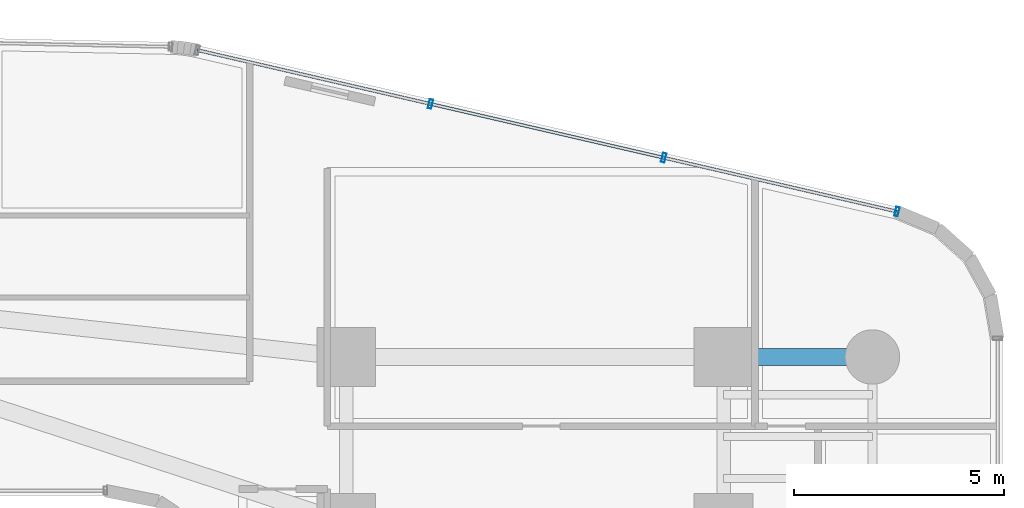
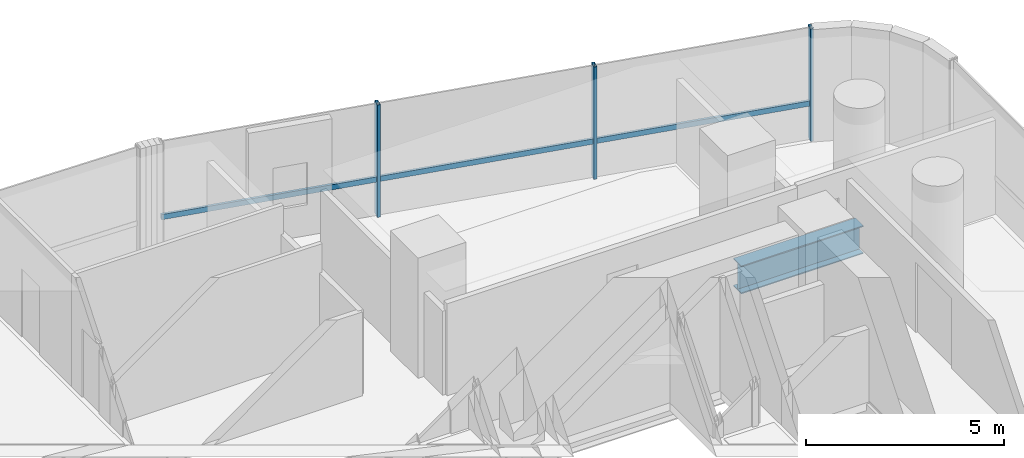
# One storey, part 25 of 42: 4 members, 1 beam, 1 element without a shape of its own.
"""IFC4 building model written with IfcOpenShell, lengths in metres."""

from ifc_helpers import new_model, si_unit, direction, frame, origin, origin_2d, place, context, subcontext, project, spatial, hollow_rectangle, i_section, extrude, source, transform, mapped, material, material_profile, profile_set, type_object, element, aggregate, save


model = new_model("IFC4")

# Units and contexts
model_context = context("Model", 3, precision=1e-05, world=origin(), true_north=direction((0.0, 1.0)))
body_context = subcontext(model_context, "Body", "Model", "MODEL_VIEW")
ifc_project = project(units=[si_unit("LENGTHUNIT", "METRE"), si_unit("AREAUNIT", "SQUARE_METRE"), si_unit("VOLUMEUNIT", "CUBIC_METRE"), si_unit("PLANEANGLEUNIT", "RADIAN"), si_unit("MASSUNIT", "GRAM", prefix="KILO")], contexts=[model_context])

# Site, building, storey
site_placement = place(None, origin())
site = spatial("IfcSite", under=ifc_project, at=site_placement, CompositionType="ELEMENT")
building_placement = place(site_placement, origin())
building = spatial("IfcBuilding", under=site, at=building_placement, Name="Valdorenza Pilgrim Sanctuary Tower", CompositionType="ELEMENT")
storey_placement = place(building_placement, frame((0.0, 0.0, 55.60009765625)))
storey = spatial("IfcBuildingStorey", under=building, at=storey_placement, Name="L13", CompositionType="ELEMENT", Elevation=55.60009765625)

# Beam
ifc_material_1 = material(Name="Steel ASTM A992 Grade 50", Category="steel")
ifc_material_profile_1 = material_profile(ifc_material_1, i_section(OverallWidth=0.39990234375, OverallDepth=0.862060546875, WebThickness=0.019775390625, FlangeThickness=0.032470703125, at=origin_2d()), Name="W33X221")
ifc_profile_set_1 = profile_set([ifc_material_profile_1], Name="Steel ASTM A992 Grade 50")
beam_type = type_object("IfcBeamType", Name="STR-BM-GRD-W33", PredefinedType="BEAM", material=ifc_profile_set_1)
shared_shape_1 = source(origin(), body_context, "Body", "SweptSolid", [
    extrude(i_section(OverallWidth=0.39990234375, OverallDepth=0.862060546875, WebThickness=0.019775390625, FlangeThickness=0.032470703125, at=origin_2d()), origin(), (0.0, 0.0, 1.0), 3.5498046875),
])
beam_placement = place(storey_placement, frame((24.85009765625, 13.5, -0.671142578125), z_axis=(1.0, 0.0, 0.0), x_axis=(0.0, 1.0, 0.0)))
element("IfcBeam", 1, at=beam_placement, inside=storey, type_object=beam_type, Name="L13 Floor Girder WB-XE-N2", PredefinedType="BEAM", context=body_context, shape_type="MappedRepresentation", body=[
    mapped(shared_shape_1, transform((0.0, 0.0, 0.0), x_axis=(1.0, 0.0, 0.0), y_axis=(0.0, 1.0, 0.0), z_axis=(0.0, 0.0, 1.0), scale=1.0)),
])

# Curtain wall, members
ifc_material_2 = material(Name="Curtain-wall IGU glazing", Category="glass")
curtain_wall_type = type_object("IfcCurtainWallType", Name="CW-SYS-03", PredefinedType="NOTDEFINED", material=ifc_material_2)
curtain_wall_placement = place(storey_placement, origin())
curtain_wall = element("IfcCurtainWall", 2, at=curtain_wall_placement, inside=storey, type_object=curtain_wall_type, Name="L13 Curtain Wall CW-L13-1-16", PredefinedType="NOTDEFINED")
ifc_material_3 = material(Name="Anodised aluminium AW-6060", Category="aluminium")
ifc_material_profile_2 = material_profile(ifc_material_3, hollow_rectangle(XDim=0.0849609375, YDim=0.219970703125, WallThickness=0.0048828125, at=origin_2d()), Name="ALU-M 220x85x5")
ifc_profile_set_2 = profile_set([ifc_material_profile_2], Name="Anodised aluminium AW-6060")
member_type_1 = type_object("IfcMemberType", Name="CW-MUL-03", PredefinedType="MULLION", material=ifc_profile_set_2)
shared_shape_2 = source(origin(), body_context, "Body", "SweptSolid", [
    extrude(hollow_rectangle(XDim=0.0849609375, YDim=0.219970703125, WallThickness=0.0048828125, at=origin_2d()), origin(), (0.0, 0.0, 1.0), 3.4599609375),
])
member_1_placement = place(storey_placement, frame((17.861328125, 19.534423828125, 0.0), z_axis=(0.0, 0.0, 1.0), x_axis=(0.974389691758, -0.224866023659, 0.0)))
member_1 = element("IfcMember", 3, at=member_1_placement, type_object=member_type_1, Name="CW-L13-1-16 Mullion 2", PredefinedType="MULLION", context=body_context, shape_type="MappedRepresentation", body=[
    mapped(shared_shape_2, transform((0.0, 0.0, 0.0), x_axis=(1.0, 0.0, 0.0), y_axis=(0.0, 1.0, 0.0), z_axis=(0.0, 0.0, 1.0), scale=1.0)),
])
member_2_placement = place(storey_placement, frame((23.423583984375, 18.2509765625, 0.0), z_axis=(0.0, 0.0, 1.0), x_axis=(0.974389691758, -0.224866023659, 0.0)))
member_2 = element("IfcMember", 4, at=member_2_placement, type_object=member_type_1, Name="CW-L13-1-16 Mullion 3", PredefinedType="MULLION", context=body_context, shape_type="MappedRepresentation", body=[
    mapped(shared_shape_2, transform((0.0, 0.0, 0.0), x_axis=(1.0, 0.0, 0.0), y_axis=(0.0, 1.0, 0.0), z_axis=(0.0, 0.0, 1.0), scale=1.0)),
])
member_3_placement = place(storey_placement, frame((28.98583984375, 16.96728515625, 0.0), z_axis=(0.0, 0.0, 1.0), x_axis=(0.974389691758, -0.224866023659, 0.0)))
member_3 = element("IfcMember", 5, at=member_3_placement, type_object=member_type_1, Name="CW-L13-1-16 Mullion 4", PredefinedType="MULLION", context=body_context, shape_type="MappedRepresentation", body=[
    mapped(shared_shape_2, transform((0.0, 0.0, 0.0), x_axis=(1.0, 0.0, 0.0), y_axis=(0.0, 1.0, 0.0), z_axis=(0.0, 0.0, 1.0), scale=1.0)),
])
ifc_material_profile_3 = material_profile(ifc_material_3, hollow_rectangle(XDim=0.074951171875, YDim=0.159912109375, WallThickness=0.00390625, at=origin_2d()), Name="ALU-T 160x75x4")
ifc_profile_set_3 = profile_set([ifc_material_profile_3], Name="Anodised aluminium AW-6060")
member_type_2 = type_object("IfcMemberType", Name="CW-TRN-03", PredefinedType="USERDEFINED", material=ifc_profile_set_3)
shared_shape_3 = source(origin(), body_context, "Body", "SweptSolid", [
    extrude(hollow_rectangle(XDim=0.074951171875, YDim=0.159912109375, WallThickness=0.00390625, at=origin_2d()), origin(), (0.0, 0.0, 1.0), 17.125244140625),
])
member_4_placement = place(storey_placement, frame((12.299072265625, 20.818115234375, 1.119873046875), z_axis=(0.974390715149, -0.224861589051, 0.0), x_axis=(0.224861589051, 0.974390715149, 0.0)))
member_4 = element("IfcMember", 6, at=member_4_placement, type_object=member_type_2, Name="CW-L13-1-16 Transom 1", ObjectType="TRANSOM", PredefinedType="USERDEFINED", context=body_context, shape_type="MappedRepresentation", body=[
    mapped(shared_shape_3, transform((0.0, 0.0, 0.0), x_axis=(1.0, 0.0, 0.0), y_axis=(0.0, 1.0, 0.0), z_axis=(0.0, 0.0, 1.0), scale=1.0)),
])
aggregate(curtain_wall, [member_1, member_2, member_3, member_4])

save(model, "model.ifc")
